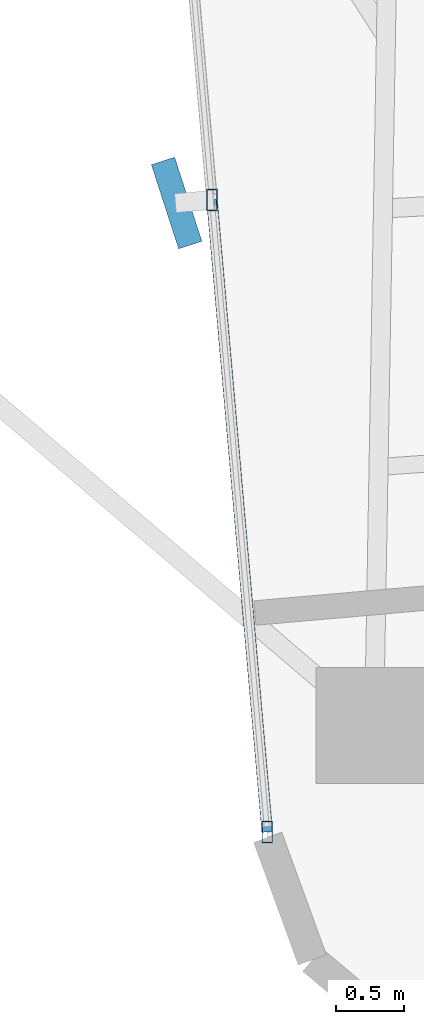
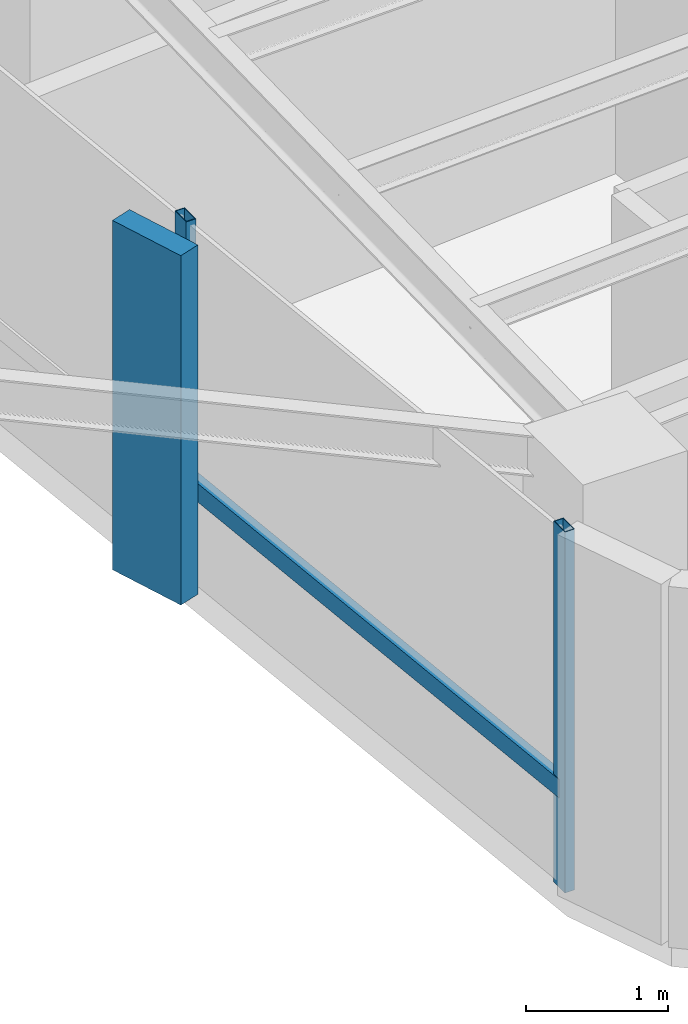
# One storey, part 2 of 24: 4 members, 1 element without a shape of its own.
"""IFC4 building model written with IfcOpenShell, lengths in metres."""

from ifc_helpers import new_model, si_unit, direction, frame, origin, origin_2d, place, context, subcontext, project, spatial, rectangle, hollow_rectangle, extrude, source, transform, mapped, material, material_profile, profile_set, type_object, element, aggregate, save


model = new_model("IFC4")

# Units and contexts
model_context = context("Model", 3, precision=1e-05, world=origin(), true_north=direction((0.0, 1.0)))
body_context = subcontext(model_context, "Body", "Model", "MODEL_VIEW")
ifc_project = project(units=[si_unit("LENGTHUNIT", "METRE"), si_unit("AREAUNIT", "SQUARE_METRE"), si_unit("VOLUMEUNIT", "CUBIC_METRE"), si_unit("PLANEANGLEUNIT", "RADIAN"), si_unit("MASSUNIT", "GRAM", prefix="KILO")], contexts=[model_context])

# Site, building, storey
site_placement = place(None, origin())
site = spatial("IfcSite", under=ifc_project, at=site_placement, CompositionType="ELEMENT")
building_placement = place(site_placement, origin())
building = spatial("IfcBuilding", under=site, at=building_placement, Name="Sahyath Konkavel Grand Hotel", CompositionType="ELEMENT")
storey_placement = place(building_placement, frame((0.0, 0.0, 185.25)))
storey = spatial("IfcBuildingStorey", under=building, at=storey_placement, Name="L51", CompositionType="ELEMENT", Elevation=185.25)

# Curtain wall, members
ifc_material_1 = material(Name="Anodised Bronze Aluminium & Low-E Glazing", Category="aluminium")
curtain_wall_type = type_object("IfcCurtainWallType", Name="CW-ZONE3", PredefinedType="NOTDEFINED", material=ifc_material_1)
curtain_wall_placement = place(storey_placement, origin())
curtain_wall = element("IfcCurtainWall", 1, at=curtain_wall_placement, inside=storey, type_object=curtain_wall_type, Name="L51 Unitised Curtain Wall F24", PredefinedType="NOTDEFINED")
ifc_material_2 = material(Name="Warm Buff Sandstone Cladding on Concrete C50/60", Category="masonry")
ifc_material_profile_1 = material_profile(ifc_material_2, rectangle(XDim=0.179931640625, YDim=0.64990234375, at=origin_2d()), Name="FIN 180x650")
ifc_profile_set_1 = profile_set([ifc_material_profile_1], Name="Warm Buff Sandstone Cladding on Concrete C50/60")
member_type_1 = type_object("IfcMemberType", Name="FIN-SANDSTONE-650", PredefinedType="MULLION", material=ifc_profile_set_1)
shared_shape_1 = source(origin(), body_context, "Body", "SweptSolid", [
    extrude(rectangle(XDim=0.179931640625, YDim=0.64990234375, at=origin_2d()), origin(), (0.0, 0.0, 1.0), 3.010009765625),
])
member_1_placement = place(storey_placement, frame((-5.386474609375, -14.273681640625, 0.050048828125), z_axis=(0.0, 0.0, 1.0), x_axis=(0.951272019071, 0.30835295642, 0.0)))
member_1 = element("IfcMember", 2, at=member_1_placement, type_object=member_type_1, Name="L51 Sandstone Vertical Solar Fin FIN F24-1", PredefinedType="MULLION", context=body_context, shape_type="MappedRepresentation", body=[
    mapped(shared_shape_1, transform((0.0, 0.0, 0.0), scale=1.0)),
])
ifc_material_3 = material(Name="Anodised Bronze Aluminium", Category="aluminium")
ifc_material_profile_2 = material_profile(ifc_material_3, hollow_rectangle(XDim=0.080078125, YDim=0.159912109375, WallThickness=0.006103515625, at=origin_2d()), Name="RHS 160x80x6")
ifc_profile_set_2 = profile_set([ifc_material_profile_2], Name="Anodised Bronze Aluminium")
member_type_2 = type_object("IfcMemberType", Name="CW-MUL-160", PredefinedType="MULLION", material=ifc_profile_set_2)
shared_shape_2 = source(origin(), body_context, "Body", "SweptSolid", [
    extrude(hollow_rectangle(XDim=0.080078125, YDim=0.159912109375, WallThickness=0.006103515625, at=origin_2d()), origin(), (0.0, 0.0, 1.0), 3.110107421875),
])
member_2_placement = place(storey_placement, frame((-5.12744140625, -14.251220703125, 0.0), z_axis=(0.0, 0.0, 1.0), x_axis=(1.0, 0.0, 0.0)))
member_2 = element("IfcMember", 3, at=member_2_placement, type_object=member_type_2, Name="L51 Curtain Wall Mullion F24-1", PredefinedType="MULLION", context=body_context, shape_type="MappedRepresentation", body=[
    mapped(shared_shape_2, transform((0.0, 0.0, 0.0), scale=1.0)),
])
member_3_placement = place(storey_placement, frame((-4.72119140625, -18.893310546875, 0.0), z_axis=(0.0, 0.0, 1.0), x_axis=(1.0, 0.0, 0.0)))
member_3 = element("IfcMember", 4, at=member_3_placement, type_object=member_type_2, Name="L51 Curtain Wall Mullion F24-2", PredefinedType="MULLION", context=body_context, shape_type="MappedRepresentation", body=[
    mapped(shared_shape_2, transform((0.0, 0.0, 0.0), scale=1.0)),
])
ifc_material_profile_3 = material_profile(ifc_material_3, hollow_rectangle(XDim=0.080078125, YDim=0.159912109375, WallThickness=0.006103515625, at=origin_2d()), Name="RHS 160x80x6")
ifc_profile_set_3 = profile_set([ifc_material_profile_3], Name="Anodised Bronze Aluminium")
member_type_3 = type_object("IfcMemberType", Name="CW-TRN-160", PredefinedType="USERDEFINED", material=ifc_profile_set_3)
shared_shape_3 = source(origin(), body_context, "Body", "SweptSolid", [
    extrude(hollow_rectangle(XDim=0.080078125, YDim=0.159912109375, WallThickness=0.006103515625, at=origin_2d()), origin(), (0.0, 0.0, 1.0), 4.659912109375),
])
member_4_placement = place(storey_placement, frame((-5.12744140625, -14.251220703125, 0.85009765625), z_axis=(0.087181248758, -0.996192466276, 0.0), x_axis=(0.996192466276, 0.087181248758, 0.0)))
member_4 = element("IfcMember", 5, at=member_4_placement, type_object=member_type_3, Name="L51 Curtain Wall Transom F24-1-spandrel", ObjectType="TRANSOM", PredefinedType="USERDEFINED", context=body_context, shape_type="MappedRepresentation", body=[
    mapped(shared_shape_3, transform((0.0, 0.0, 0.0), scale=1.0)),
])
aggregate(curtain_wall, [member_2, member_1, member_3, member_4])

save(model, "model.ifc")
